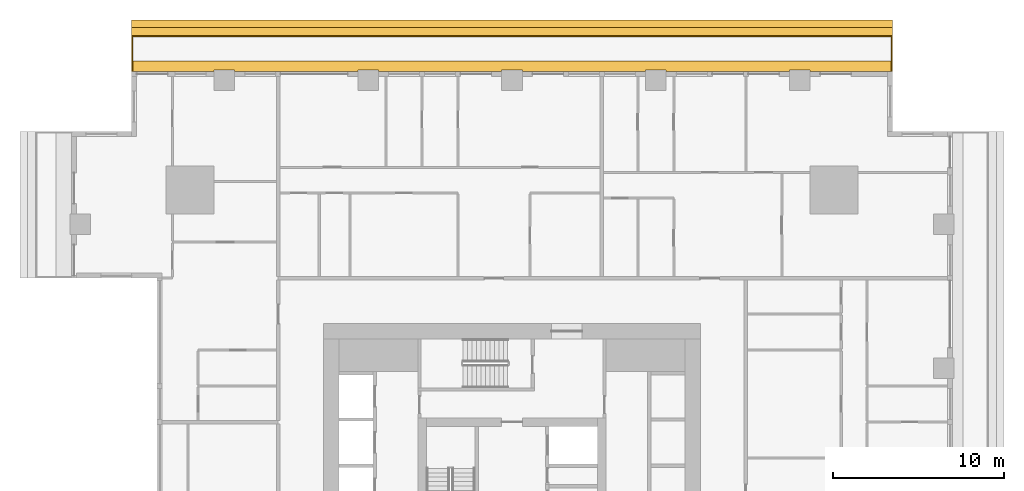
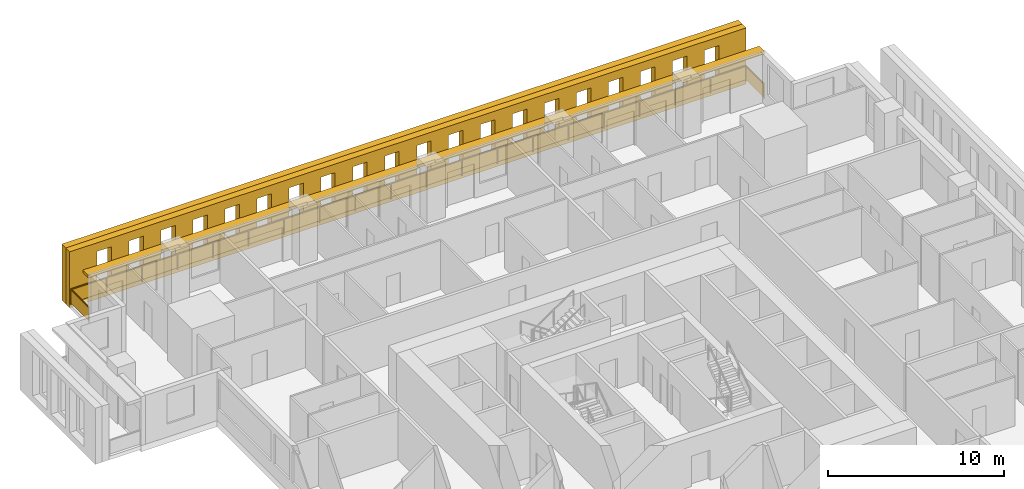
# One storey, part 14 of 14: 3 shading devices, 1 railing.
"""IFC4 building model written with IfcOpenShell, lengths in metres."""

from ifc_helpers import new_model, si_unit, direction, frame, origin, origin_2d, place, context, subcontext, project, spatial, polyline, rectangle, outline, extrude, material, layer, layer_set, type_object, element, save


model = new_model("IFC4")

# Units and contexts
model_context = context("Model", 3, precision=1e-05, world=origin(), true_north=direction((0.0, 1.0)))
body_context = subcontext(model_context, "Body", "Model", "MODEL_VIEW")
ifc_project = project(units=[si_unit("LENGTHUNIT", "METRE"), si_unit("AREAUNIT", "SQUARE_METRE"), si_unit("VOLUMEUNIT", "CUBIC_METRE"), si_unit("PLANEANGLEUNIT", "RADIAN"), si_unit("MASSUNIT", "GRAM", prefix="KILO")], contexts=[model_context])

# Site, building, storey
site_placement = place(None, origin())
site = spatial("IfcSite", under=ifc_project, at=site_placement, CompositionType="ELEMENT")
building_placement = place(site_placement, origin())
building = spatial("IfcBuilding", under=site, at=building_placement, Name="Khepri Terraces", CompositionType="ELEMENT")
storey_placement = place(building_placement, frame((0.0, 0.0, 122.10009765625)))
storey = spatial("IfcBuildingStorey", under=building, at=storey_placement, Name="L29", CompositionType="ELEMENT", Elevation=122.10009765625)

# Railing
ifc_material_1 = material(Name="Stainless steel grade 316", Category="steel")
railing_type = type_object("IfcRailingType", Name="GRD-BAL-1100", PredefinedType="GUARDRAIL", material=ifc_material_1)
railing_placement = place(storey_placement, frame((22.169921875, 25.719970703125, 0.0)))
element("IfcRailing", 1, at=railing_placement, inside=storey, type_object=railing_type, Name="Balcony guard L29 N", PredefinedType="GUARDRAIL", context=body_context, shape_type="SweptSolid", body=[
    extrude(rectangle(XDim=0.050048828125, YDim=0.06005859375, at=origin_2d()), frame((0.0, 0.0, 1.070068359375), z_axis=(0.0, 1.0, 0.0), x_axis=(-1.0, 0.0, 0.0)), (0.0, 0.0, 1.0), 2.050048828125),
    extrude(rectangle(XDim=2.0, YDim=0.011962890625, at=origin_2d()), frame((0.0, 1.02490234375, 0.10009765625), z_axis=(0.0, 0.0, 1.0), x_axis=(0.0, 1.0, 0.0)), (0.0, 0.0, 1.0), 0.93994140625),
    extrude(rectangle(XDim=0.050048828125, YDim=0.06005859375, at=origin_2d()), frame((0.0, 2.050048828125, 1.070068359375), z_axis=(-1.0, 0.0, 0.0), x_axis=(0.0, -1.0, 0.0)), (0.0, 0.0, 1.0), 44.33984375),
    extrude(rectangle(XDim=2.28369140625, YDim=0.011962890625, at=origin_2d()), frame((-1.166748046875, 2.050048828125, 0.10009765625), z_axis=(0.0, 0.0, 1.0), x_axis=(-1.0, 0.0, 0.0)), (0.0, 0.0, 1.0), 0.93994140625),
    extrude(rectangle(XDim=2.28369140625, YDim=0.011962890625, at=origin_2d()), frame((-3.50048828125, 2.050048828125, 0.10009765625), z_axis=(0.0, 0.0, 1.0), x_axis=(-1.0, 0.0, 0.0)), (0.0, 0.0, 1.0), 0.93994140625),
    extrude(rectangle(XDim=2.28369140625, YDim=0.011962890625, at=origin_2d()), frame((-5.834228515625, 2.050048828125, 0.10009765625), z_axis=(0.0, 0.0, 1.0), x_axis=(-1.0, 0.0, 0.0)), (0.0, 0.0, 1.0), 0.93994140625),
    extrude(rectangle(XDim=2.28369140625, YDim=0.011962890625, at=origin_2d()), frame((-8.16796875, 2.050048828125, 0.10009765625), z_axis=(0.0, 0.0, 1.0), x_axis=(-1.0, 0.0, 0.0)), (0.0, 0.0, 1.0), 0.93994140625),
    extrude(rectangle(XDim=2.28369140625, YDim=0.011962890625, at=origin_2d()), frame((-10.50146484375, 2.050048828125, 0.10009765625), z_axis=(0.0, 0.0, 1.0), x_axis=(-1.0, 0.0, 0.0)), (0.0, 0.0, 1.0), 0.93994140625),
    extrude(rectangle(XDim=2.28369140625, YDim=0.011962890625, at=origin_2d()), frame((-12.835205078125, 2.050048828125, 0.10009765625), z_axis=(0.0, 0.0, 1.0), x_axis=(-1.0, 0.0, 0.0)), (0.0, 0.0, 1.0), 0.93994140625),
    extrude(rectangle(XDim=2.28369140625, YDim=0.011962890625, at=origin_2d()), frame((-15.1689453125, 2.050048828125, 0.10009765625), z_axis=(0.0, 0.0, 1.0), x_axis=(-1.0, 0.0, 0.0)), (0.0, 0.0, 1.0), 0.93994140625),
    extrude(rectangle(XDim=2.28369140625, YDim=0.011962890625, at=origin_2d()), frame((-17.502685546875, 2.050048828125, 0.10009765625), z_axis=(0.0, 0.0, 1.0), x_axis=(-1.0, 0.0, 0.0)), (0.0, 0.0, 1.0), 0.93994140625),
    extrude(rectangle(XDim=2.28369140625, YDim=0.011962890625, at=origin_2d()), frame((-19.836181640625, 2.050048828125, 0.10009765625), z_axis=(0.0, 0.0, 1.0), x_axis=(-1.0, 0.0, 0.0)), (0.0, 0.0, 1.0), 0.93994140625),
    extrude(rectangle(XDim=2.28369140625, YDim=0.011962890625, at=origin_2d()), frame((-22.169921875, 2.050048828125, 0.10009765625), z_axis=(0.0, 0.0, 1.0), x_axis=(-1.0, 0.0, 0.0)), (0.0, 0.0, 1.0), 0.93994140625),
    extrude(rectangle(XDim=2.28369140625, YDim=0.011962890625, at=origin_2d()), frame((-24.503662109375, 2.050048828125, 0.10009765625), z_axis=(0.0, 0.0, 1.0), x_axis=(-1.0, 0.0, 0.0)), (0.0, 0.0, 1.0), 0.93994140625),
    extrude(rectangle(XDim=2.28369140625, YDim=0.011962890625, at=origin_2d()), frame((-26.837158203125, 2.050048828125, 0.10009765625), z_axis=(0.0, 0.0, 1.0), x_axis=(-1.0, 0.0, 0.0)), (0.0, 0.0, 1.0), 0.93994140625),
    extrude(rectangle(XDim=2.28369140625, YDim=0.011962890625, at=origin_2d()), frame((-29.1708984375, 2.050048828125, 0.10009765625), z_axis=(0.0, 0.0, 1.0), x_axis=(-1.0, 0.0, 0.0)), (0.0, 0.0, 1.0), 0.93994140625),
    extrude(rectangle(XDim=2.28369140625, YDim=0.011962890625, at=origin_2d()), frame((-31.504638671875, 2.050048828125, 0.10009765625), z_axis=(0.0, 0.0, 1.0), x_axis=(-1.0, 0.0, 0.0)), (0.0, 0.0, 1.0), 0.93994140625),
    extrude(rectangle(XDim=2.28369140625, YDim=0.011962890625, at=origin_2d()), frame((-33.83837890625, 2.050048828125, 0.10009765625), z_axis=(0.0, 0.0, 1.0), x_axis=(-1.0, 0.0, 0.0)), (0.0, 0.0, 1.0), 0.93994140625),
    extrude(rectangle(XDim=2.28369140625, YDim=0.011962890625, at=origin_2d()), frame((-36.171875, 2.050048828125, 0.10009765625), z_axis=(0.0, 0.0, 1.0), x_axis=(-1.0, 0.0, 0.0)), (0.0, 0.0, 1.0), 0.93994140625),
    extrude(rectangle(XDim=2.28369140625, YDim=0.011962890625, at=origin_2d()), frame((-38.505615234375, 2.050048828125, 0.10009765625), z_axis=(0.0, 0.0, 1.0), x_axis=(-1.0, 0.0, 0.0)), (0.0, 0.0, 1.0), 0.93994140625),
    extrude(rectangle(XDim=2.28369140625, YDim=0.011962890625, at=origin_2d()), frame((-40.83935546875, 2.050048828125, 0.10009765625), z_axis=(0.0, 0.0, 1.0), x_axis=(-1.0, 0.0, 0.0)), (0.0, 0.0, 1.0), 0.93994140625),
    extrude(rectangle(XDim=2.28369140625, YDim=0.011962890625, at=origin_2d()), frame((-43.173095703125, 2.050048828125, 0.10009765625), z_axis=(0.0, 0.0, 1.0), x_axis=(-1.0, 0.0, 0.0)), (0.0, 0.0, 1.0), 0.93994140625),
    extrude(rectangle(XDim=0.050048828125, YDim=0.06005859375, at=origin_2d()), frame((-44.33984375, 2.050048828125, 1.070068359375), z_axis=(0.0, -1.0, 0.0), x_axis=(1.0, 0.0, 0.0)), (0.0, 0.0, 1.0), 2.050048828125),
    extrude(rectangle(XDim=2.0, YDim=0.011962890625, at=origin_2d()), frame((-44.33984375, 1.02490234375, 0.10009765625), z_axis=(0.0, 0.0, 1.0), x_axis=(0.0, -1.0, 0.0)), (0.0, 0.0, 1.0), 0.93994140625),
    extrude(rectangle(XDim=0.050048828125, YDim=0.050048828125, at=origin_2d()), origin(), (0.0, 0.0, 1.0), 1.0400390625),
    extrude(rectangle(XDim=0.050048828125, YDim=0.050048828125, at=origin_2d()), frame((0.0, 2.050048828125, 0.0)), (0.0, 0.0, 1.0), 1.0400390625),
    extrude(rectangle(XDim=0.050048828125, YDim=0.050048828125, at=origin_2d()), frame((-2.333740234375, 2.050048828125, 0.0)), (0.0, 0.0, 1.0), 1.0400390625),
    extrude(rectangle(XDim=0.050048828125, YDim=0.050048828125, at=origin_2d()), frame((-4.667236328125, 2.050048828125, 0.0)), (0.0, 0.0, 1.0), 1.0400390625),
    extrude(rectangle(XDim=0.050048828125, YDim=0.050048828125, at=origin_2d()), frame((-7.0009765625, 2.050048828125, 0.0)), (0.0, 0.0, 1.0), 1.0400390625),
    extrude(rectangle(XDim=0.050048828125, YDim=0.050048828125, at=origin_2d()), frame((-9.334716796875, 2.050048828125, 0.0)), (0.0, 0.0, 1.0), 1.0400390625),
    extrude(rectangle(XDim=0.050048828125, YDim=0.050048828125, at=origin_2d()), frame((-11.66845703125, 2.050048828125, 0.0)), (0.0, 0.0, 1.0), 1.0400390625),
    extrude(rectangle(XDim=0.050048828125, YDim=0.050048828125, at=origin_2d()), frame((-14.001953125, 2.050048828125, 0.0)), (0.0, 0.0, 1.0), 1.0400390625),
    extrude(rectangle(XDim=0.050048828125, YDim=0.050048828125, at=origin_2d()), frame((-16.335693359375, 2.050048828125, 0.0)), (0.0, 0.0, 1.0), 1.0400390625),
    extrude(rectangle(XDim=0.050048828125, YDim=0.050048828125, at=origin_2d()), frame((-18.66943359375, 2.050048828125, 0.0)), (0.0, 0.0, 1.0), 1.0400390625),
    extrude(rectangle(XDim=0.050048828125, YDim=0.050048828125, at=origin_2d()), frame((-21.003173828125, 2.050048828125, 0.0)), (0.0, 0.0, 1.0), 1.0400390625),
    extrude(rectangle(XDim=0.050048828125, YDim=0.050048828125, at=origin_2d()), frame((-23.336669921875, 2.050048828125, 0.0)), (0.0, 0.0, 1.0), 1.0400390625),
    extrude(rectangle(XDim=0.050048828125, YDim=0.050048828125, at=origin_2d()), frame((-25.67041015625, 2.050048828125, 0.0)), (0.0, 0.0, 1.0), 1.0400390625),
    extrude(rectangle(XDim=0.050048828125, YDim=0.050048828125, at=origin_2d()), frame((-28.004150390625, 2.050048828125, 0.0)), (0.0, 0.0, 1.0), 1.0400390625),
    extrude(rectangle(XDim=0.050048828125, YDim=0.050048828125, at=origin_2d()), frame((-30.337890625, 2.050048828125, 0.0)), (0.0, 0.0, 1.0), 1.0400390625),
    extrude(rectangle(XDim=0.050048828125, YDim=0.050048828125, at=origin_2d()), frame((-32.67138671875, 2.050048828125, 0.0)), (0.0, 0.0, 1.0), 1.0400390625),
    extrude(rectangle(XDim=0.050048828125, YDim=0.050048828125, at=origin_2d()), frame((-35.005126953125, 2.050048828125, 0.0)), (0.0, 0.0, 1.0), 1.0400390625),
    extrude(rectangle(XDim=0.050048828125, YDim=0.050048828125, at=origin_2d()), frame((-37.3388671875, 2.050048828125, 0.0)), (0.0, 0.0, 1.0), 1.0400390625),
    extrude(rectangle(XDim=0.050048828125, YDim=0.050048828125, at=origin_2d()), frame((-39.672607421875, 2.050048828125, 0.0)), (0.0, 0.0, 1.0), 1.0400390625),
    extrude(rectangle(XDim=0.050048828125, YDim=0.050048828125, at=origin_2d()), frame((-42.006103515625, 2.050048828125, 0.0)), (0.0, 0.0, 1.0), 1.0400390625),
    extrude(rectangle(XDim=0.050048828125, YDim=0.050048828125, at=origin_2d()), frame((-44.33984375, 2.050048828125, 0.0)), (0.0, 0.0, 1.0), 1.0400390625),
    extrude(rectangle(XDim=0.050048828125, YDim=0.050048828125, at=origin_2d()), frame((-44.33984375, 0.0, 0.0)), (0.0, 0.0, 1.0), 1.0400390625),
])

# Shading devices
ifc_material_2 = material(Name="Precast concrete C50/60 warm stone", Category="masonry")
shading_device_type_1 = type_object("IfcShadingDeviceType", Name="SCR-CELL-INNER-450", PredefinedType="USERDEFINED", material=ifc_material_2)
shading_device_1_placement = place(storey_placement, frame((22.219970703125, 27.820068359375, -0.25), z_axis=(0.0, 1.0, 0.0), x_axis=(-1.0, 0.0, 0.0)))
element("IfcShadingDevice", 2, at=shading_device_1_placement, inside=storey, type_object=shading_device_type_1, Name="Cell screen L29 N in", ObjectType="SCREEN", PredefinedType="USERDEFINED", context=body_context, shape_type="SweptSolid", body=[
    extrude(outline(polyline([(0.0, 0.0), (44.43994140625, 0.0), (44.43994140625, 3.89990234375), (0.0, 3.89990234375), (0.0, 0.0)]), holes=[polyline([(1.797607421875, 0.699951171875), (2.742431640625, 0.699951171875), (2.742431640625, 3.300048828125), (1.797607421875, 3.300048828125), (1.797607421875, 0.699951171875)]), polyline([(3.8974609375, 0.699951171875), (4.842529296875, 0.699951171875), (4.842529296875, 3.300048828125), (3.8974609375, 3.300048828125), (3.8974609375, 0.699951171875)]), polyline([(5.99755859375, 0.699951171875), (6.9423828125, 0.699951171875), (6.9423828125, 3.300048828125), (5.99755859375, 3.300048828125), (5.99755859375, 0.699951171875)]), polyline([(8.097412109375, 0.699951171875), (9.04248046875, 0.699951171875), (9.04248046875, 3.300048828125), (8.097412109375, 3.300048828125), (8.097412109375, 0.699951171875)]), polyline([(10.197509765625, 0.699951171875), (11.142578125, 0.699951171875), (11.142578125, 3.300048828125), (10.197509765625, 3.300048828125), (10.197509765625, 0.699951171875)]), polyline([(12.297607421875, 0.699951171875), (13.242431640625, 0.699951171875), (13.242431640625, 3.300048828125), (12.297607421875, 3.300048828125), (12.297607421875, 0.699951171875)]), polyline([(14.3974609375, 0.699951171875), (15.342529296875, 0.699951171875), (15.342529296875, 3.300048828125), (14.3974609375, 3.300048828125), (14.3974609375, 0.699951171875)]), polyline([(16.49755859375, 0.699951171875), (17.4423828125, 0.699951171875), (17.4423828125, 3.300048828125), (16.49755859375, 3.300048828125), (16.49755859375, 0.699951171875)]), polyline([(18.597412109375, 0.699951171875), (19.54248046875, 0.699951171875), (19.54248046875, 3.300048828125), (18.597412109375, 3.300048828125), (18.597412109375, 0.699951171875)]), polyline([(20.697509765625, 0.699951171875), (21.642578125, 0.699951171875), (21.642578125, 3.300048828125), (20.697509765625, 3.300048828125), (20.697509765625, 0.699951171875)]), polyline([(22.797607421875, 0.699951171875), (23.742431640625, 0.699951171875), (23.742431640625, 3.300048828125), (22.797607421875, 3.300048828125), (22.797607421875, 0.699951171875)]), polyline([(24.8974609375, 0.699951171875), (25.842529296875, 0.699951171875), (25.842529296875, 3.300048828125), (24.8974609375, 3.300048828125), (24.8974609375, 0.699951171875)]), polyline([(26.99755859375, 0.699951171875), (27.9423828125, 0.699951171875), (27.9423828125, 3.300048828125), (26.99755859375, 3.300048828125), (26.99755859375, 0.699951171875)]), polyline([(29.097412109375, 0.699951171875), (30.04248046875, 0.699951171875), (30.04248046875, 3.300048828125), (29.097412109375, 3.300048828125), (29.097412109375, 0.699951171875)]), polyline([(31.197509765625, 0.699951171875), (32.142578125, 0.699951171875), (32.142578125, 3.300048828125), (31.197509765625, 3.300048828125), (31.197509765625, 0.699951171875)]), polyline([(33.297607421875, 0.699951171875), (34.242431640625, 0.699951171875), (34.242431640625, 3.300048828125), (33.297607421875, 3.300048828125), (33.297607421875, 0.699951171875)]), polyline([(35.3974609375, 0.699951171875), (36.342529296875, 0.699951171875), (36.342529296875, 3.300048828125), (35.3974609375, 3.300048828125), (35.3974609375, 0.699951171875)]), polyline([(37.49755859375, 0.699951171875), (38.4423828125, 0.699951171875), (38.4423828125, 3.300048828125), (37.49755859375, 3.300048828125), (37.49755859375, 0.699951171875)]), polyline([(39.597412109375, 0.699951171875), (40.54248046875, 0.699951171875), (40.54248046875, 3.300048828125), (39.597412109375, 3.300048828125), (39.597412109375, 0.699951171875)]), polyline([(41.697509765625, 0.699951171875), (42.642578125, 0.699951171875), (42.642578125, 3.300048828125), (41.697509765625, 3.300048828125), (41.697509765625, 0.699951171875)])]), origin(), (0.0, 0.0, 1.0), 0.449951171875),
])
shading_device_type_2 = type_object("IfcShadingDeviceType", Name="SCR-CELL-OUTER-450", PredefinedType="USERDEFINED", material=ifc_material_2)
shading_device_2_placement = place(storey_placement, frame((22.219970703125, 28.27001953125, -0.25), z_axis=(0.0, 1.0, 0.0), x_axis=(-1.0, 0.0, 0.0)))
element("IfcShadingDevice", 3, at=shading_device_2_placement, inside=storey, type_object=shading_device_type_2, Name="Cell screen L29 N out", ObjectType="SCREEN", PredefinedType="USERDEFINED", context=body_context, shape_type="SweptSolid", body=[
    extrude(outline(polyline([(0.0, 0.0), (44.43994140625, 0.0), (44.43994140625, 3.89990234375), (0.0, 3.89990234375), (0.0, 0.0)]), holes=[polyline([(1.447509765625, 0.449951171875), (3.092529296875, 0.449951171875), (3.092529296875, 3.550048828125), (1.447509765625, 3.550048828125), (1.447509765625, 0.449951171875)]), polyline([(3.547607421875, 0.449951171875), (5.1923828125, 0.449951171875), (5.1923828125, 3.550048828125), (3.547607421875, 3.550048828125), (3.547607421875, 0.449951171875)]), polyline([(5.6474609375, 0.449951171875), (7.29248046875, 0.449951171875), (7.29248046875, 3.550048828125), (5.6474609375, 3.550048828125), (5.6474609375, 0.449951171875)]), polyline([(7.74755859375, 0.449951171875), (9.392578125, 0.449951171875), (9.392578125, 3.550048828125), (7.74755859375, 3.550048828125), (7.74755859375, 0.449951171875)]), polyline([(9.847412109375, 0.449951171875), (11.492431640625, 0.449951171875), (11.492431640625, 3.550048828125), (9.847412109375, 3.550048828125), (9.847412109375, 0.449951171875)]), polyline([(11.947509765625, 0.449951171875), (13.592529296875, 0.449951171875), (13.592529296875, 3.550048828125), (11.947509765625, 3.550048828125), (11.947509765625, 0.449951171875)]), polyline([(14.047607421875, 0.449951171875), (15.6923828125, 0.449951171875), (15.6923828125, 3.550048828125), (14.047607421875, 3.550048828125), (14.047607421875, 0.449951171875)]), polyline([(16.1474609375, 0.449951171875), (17.79248046875, 0.449951171875), (17.79248046875, 3.550048828125), (16.1474609375, 3.550048828125), (16.1474609375, 0.449951171875)]), polyline([(18.24755859375, 0.449951171875), (19.892578125, 0.449951171875), (19.892578125, 3.550048828125), (18.24755859375, 3.550048828125), (18.24755859375, 0.449951171875)]), polyline([(20.347412109375, 0.449951171875), (21.992431640625, 0.449951171875), (21.992431640625, 3.550048828125), (20.347412109375, 3.550048828125), (20.347412109375, 0.449951171875)]), polyline([(22.447509765625, 0.449951171875), (24.092529296875, 0.449951171875), (24.092529296875, 3.550048828125), (22.447509765625, 3.550048828125), (22.447509765625, 0.449951171875)]), polyline([(24.547607421875, 0.449951171875), (26.1923828125, 0.449951171875), (26.1923828125, 3.550048828125), (24.547607421875, 3.550048828125), (24.547607421875, 0.449951171875)]), polyline([(26.6474609375, 0.449951171875), (28.29248046875, 0.449951171875), (28.29248046875, 3.550048828125), (26.6474609375, 3.550048828125), (26.6474609375, 0.449951171875)]), polyline([(28.74755859375, 0.449951171875), (30.392578125, 0.449951171875), (30.392578125, 3.550048828125), (28.74755859375, 3.550048828125), (28.74755859375, 0.449951171875)]), polyline([(30.847412109375, 0.449951171875), (32.492431640625, 0.449951171875), (32.492431640625, 3.550048828125), (30.847412109375, 3.550048828125), (30.847412109375, 0.449951171875)]), polyline([(32.947509765625, 0.449951171875), (34.592529296875, 0.449951171875), (34.592529296875, 3.550048828125), (32.947509765625, 3.550048828125), (32.947509765625, 0.449951171875)]), polyline([(35.047607421875, 0.449951171875), (36.6923828125, 0.449951171875), (36.6923828125, 3.550048828125), (35.047607421875, 3.550048828125), (35.047607421875, 0.449951171875)]), polyline([(37.1474609375, 0.449951171875), (38.79248046875, 0.449951171875), (38.79248046875, 3.550048828125), (37.1474609375, 3.550048828125), (37.1474609375, 0.449951171875)]), polyline([(39.24755859375, 0.449951171875), (40.892578125, 0.449951171875), (40.892578125, 3.550048828125), (39.24755859375, 3.550048828125), (39.24755859375, 0.449951171875)]), polyline([(41.347412109375, 0.449951171875), (42.992431640625, 0.449951171875), (42.992431640625, 3.550048828125), (41.347412109375, 3.550048828125), (41.347412109375, 0.449951171875)])]), origin(), (0.0, 0.0, 1.0), 0.449951171875),
])
ifc_layer = layer(ifc_material_2, 0.199951171875, Name="Precast concrete C50/60 warm stone", Category="masonry")
ifc_layer_set = layer_set([ifc_layer], Name="Precast concrete C50/60 warm stone")
shading_device_type_3 = type_object("IfcShadingDeviceType", Name="SSH-BAND-STONE-200-N", PredefinedType="USERDEFINED", material=ifc_layer_set)
shading_device_3_placement = place(storey_placement, frame((0.0, 0.0, 3.099853515625)))
element("IfcShadingDevice", 4, at=shading_device_3_placement, inside=storey, type_object=shading_device_type_3, Name="Sunshade band L29 N", ObjectType="SUNSHADE", PredefinedType="USERDEFINED", context=body_context, shape_type="SweptSolid", body=[
    extrude(outline(polyline([(17.39990234375, 25.719970703125), (22.219970703125, 25.719970703125), (22.219970703125, 26.320068359375), (-22.219970703125, 26.320068359375), (-22.219970703125, 25.719970703125), (-17.39990234375, 25.719970703125), (-17.39990234375, 25.800048828125), (-16.199951171875, 25.800048828125), (-16.199951171875, 25.719970703125), (-9.0, 25.719970703125), (-9.0, 25.800048828125), (-7.800048828125, 25.800048828125), (-7.800048828125, 25.719970703125), (-0.60009765625, 25.719970703125), (-0.60009765625, 25.800048828125), (0.60009765625, 25.800048828125), (0.60009765625, 25.719970703125), (7.800048828125, 25.719970703125), (7.800048828125, 25.800048828125), (9.0, 25.800048828125), (9.0, 25.719970703125), (16.199951171875, 25.719970703125), (16.199951171875, 25.800048828125), (17.39990234375, 25.800048828125), (17.39990234375, 25.719970703125)])), origin(), (0.0, 0.0, 1.0), 0.199951171875),
])

save(model, "model.ifc")
